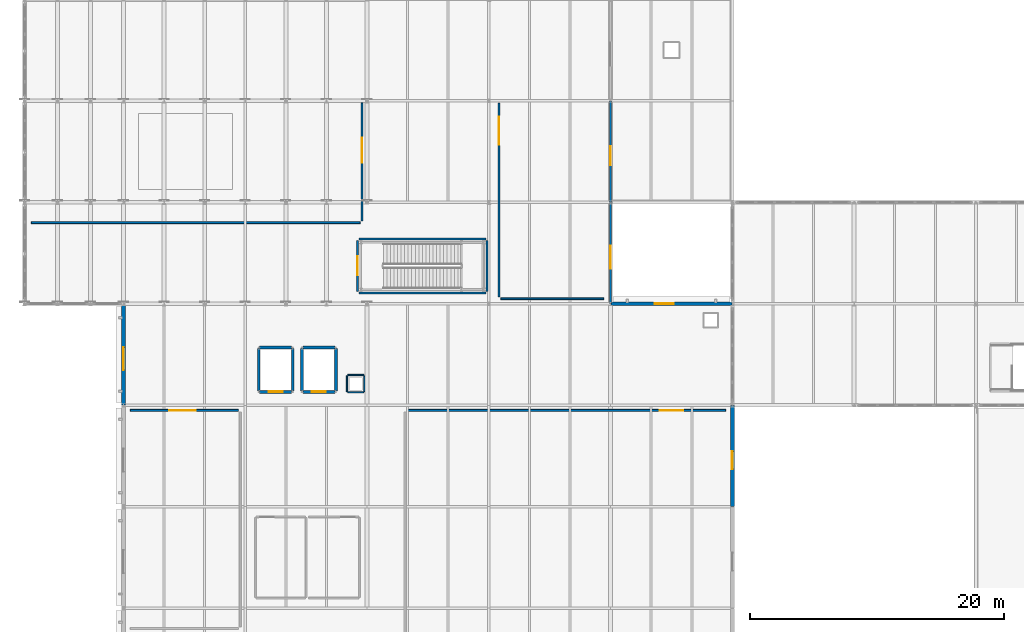
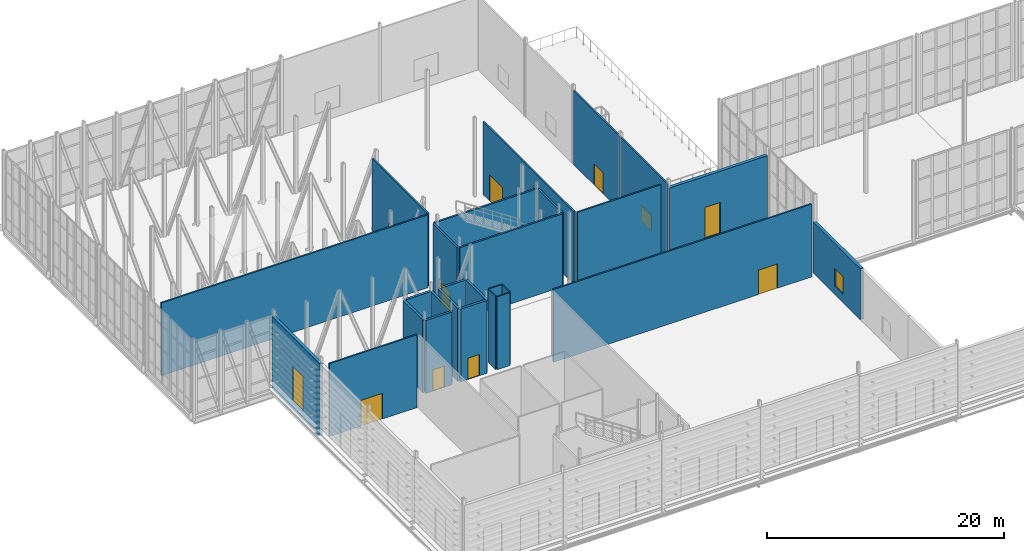
# One storey, part 65 of 73: 27 walls, 8 doors, 4 windows, 12 openings.
"""IFC4 building model written with IfcOpenShell, lengths in metres."""

from ifc_helpers import new_model, si_unit, direction, frame, frame_2d, origin, place, context, subcontext, project, spatial, rectangle, extrude, material, layer, layer_set, type_object, element, fill, save


model = new_model("IFC4")

# Units and contexts
model_context = context("Model", 3, precision=1e-05, world=origin(), true_north=direction((0.0, 1.0)))
body_context = subcontext(model_context, "Body", "Model", "MODEL_VIEW")
ifc_project = project(units=[si_unit("LENGTHUNIT", "METRE"), si_unit("AREAUNIT", "SQUARE_METRE"), si_unit("VOLUMEUNIT", "CUBIC_METRE"), si_unit("PLANEANGLEUNIT", "RADIAN"), si_unit("MASSUNIT", "GRAM", prefix="KILO")], contexts=[model_context])

# Site, building, storey
site_placement = place(None, origin())
site = spatial("IfcSite", under=ifc_project, at=site_placement, CompositionType="ELEMENT")
building_placement = place(site_placement, origin())
building = spatial("IfcBuilding", under=site, at=building_placement, Name="Alderhovde Museum", CompositionType="ELEMENT")
storey_placement = place(building_placement, frame((0.0, 0.0, 17.39990234375)))
storey = spatial("IfcBuildingStorey", under=building, at=storey_placement, Name="L04", CompositionType="ELEMENT", Elevation=17.39990234375)

# Wall, opening, window
ifc_material_1 = material(Name="Limestone Ashlar Rainscreen Wall", Category="masonry")
ifc_layer_1 = layer(ifc_material_1, 0.14990234375)
ifc_layer_set_1 = layer_set([ifc_layer_1], Name="Limestone Ashlar Rainscreen Wall")
wall_type_1 = type_object("IfcWallType", Name="EW-LIME-340", PredefinedType="SOLIDWALL", material=ifc_layer_set_1)
wall_1_placement = place(storey_placement, frame((48.0, 80.02001953125, 0.0), z_axis=(0.0, 0.0, 1.0), x_axis=(0.0, 1.0, 0.0)))
wall_1 = element("IfcWall", 1, at=wall_1_placement, inside=storey, type_object=wall_type_1, Name="L04 Paleontology East Step Wall 162", PredefinedType="SOLIDWALL", context=body_context, shape_type="SweptSolid", body=[
    extrude(rectangle(XDim=7.9599609375, YDim=0.14990234375, at=frame_2d((3.97998046875, 0.0))), origin(), (0.0, 0.0, 1.0), 7.60009765625),
])
opening_1_placement = place(wall_1_placement, frame((2.75, 0.0, 1.050048828125)))
opening_1 = element("IfcOpeningElement", 2, at=opening_1_placement, cuts=wall_1, Name="Opening W13", PredefinedType="OPENING", context=body_context, shape_type="SweptSolid", body=[
    extrude(rectangle(XDim=1.800048828125, YDim=1.60009765625, at=frame_2d((0.89990234375, 0.800048828125))), frame((0.0, 0.0849609375, 0.0), z_axis=(0.0, -1.0, 0.0), x_axis=(1.0, 0.0, 0.0)), (0.0, 0.0, 1.0), 0.169921875),
])
ifc_material_2 = material(Name="Triple-Glazed Low-E Bronze-Anodised Aluminium", Category="aluminium")
window_type_1 = type_object("IfcWindowType", Name="WIN-ATT-1800x1600", PartitioningType="DOUBLE_PANEL_VERTICAL", PredefinedType="WINDOW", material=ifc_material_2)
window_1_placement = place(opening_1_placement, origin())
window_1 = element("IfcWindow", 3, at=window_1_placement, inside=storey, type_object=window_type_1, Name="L04 Facade Window 142", OverallHeight=1.60009765625, OverallWidth=1.800048828125, PartitioningType="SINGLE_PANEL", PredefinedType="WINDOW", context=body_context, shape_type="SweptSolid", body=[
    extrude(rectangle(XDim=1.800048828125, YDim=1.60009765625, at=frame_2d((0.89990234375, 0.800048828125))), frame((0.0, 0.030029296875, 0.0), z_axis=(0.0, -1.0, 0.0), x_axis=(1.0, 0.0, 0.0)), (0.0, 0.0, 1.0), 0.06005859375),
])
fill(opening_1, window_1)

# Wall, opening, door
wall_2_placement = place(storey_placement, frame((48.0, 88.02001953125, 0.0), z_axis=(0.0, 0.0, 1.0), x_axis=(0.0, 1.0, 0.0)))
wall_2 = element("IfcWall", 4, at=wall_2_placement, inside=storey, type_object=wall_type_1, Name="L04 Paleontology East Step Wall 163", PredefinedType="SOLIDWALL", context=body_context, shape_type="SweptSolid", body=[
    extrude(rectangle(XDim=7.9599609375, YDim=0.14990234375, at=frame_2d((3.97998046875, 0.0))), origin(), (0.0, 0.0, 1.0), 7.60009765625),
])
opening_2_placement = place(wall_2_placement, frame((2.89990234375, 0.0, 0.0)))
opening_2 = element("IfcOpeningElement", 5, at=opening_2_placement, cuts=wall_2, Name="Opening BDR3", PredefinedType="OPENING", context=body_context, shape_type="SweptSolid", body=[
    extrude(rectangle(XDim=1.5, YDim=2.199951171875, at=frame_2d((0.75, 1.10009765625))), frame((0.0, 0.0849609375, 0.0), z_axis=(0.0, -1.0, 0.0), x_axis=(1.0, 0.0, 0.0)), (0.0, 0.0, 1.0), 0.169921875),
])
ifc_material_3 = material(Name="Thermally Broken Bronze-Anodised Aluminium and Laminated Glass", Category="aluminium")
door_type_1 = type_object("IfcDoorType", Name="DR-TER-1500x2200", OperationType="NOTDEFINED", PredefinedType="DOOR", material=ifc_material_3)
door_1_placement = place(opening_2_placement, origin())
door_1 = element("IfcDoor", 6, at=door_1_placement, inside=storey, type_object=door_type_1, Name="L04 Paleontology Belvedere Terrace Door", OperationType="SINGLE_SWING_LEFT", OverallHeight=2.199951171875, OverallWidth=1.5, PredefinedType="DOOR", context=body_context, shape_type="SweptSolid", body=[
    extrude(rectangle(XDim=1.5, YDim=2.199951171875, at=frame_2d((0.75, 1.10009765625))), frame((0.0, 0.02490234375, 0.0), z_axis=(0.0, -1.0, 0.0), x_axis=(1.0, 0.0, 0.0)), (0.0, 0.0, 1.0), 0.050048828125),
])
fill(opening_2, door_1)

# Wall, opening, window
ifc_material_4 = material(Name="Insulated Zinc-Clad Backing Wall")
ifc_layer_2 = layer(ifc_material_4, 0.300048828125)
ifc_layer_set_2 = layer_set([ifc_layer_2], Name="Insulated Zinc-Clad Backing Wall")
wall_type_2 = type_object("IfcWallType", Name="EW-ZINC-300", PredefinedType="SOLIDWALL", material=ifc_layer_set_2)
wall_3_placement = place(storey_placement, frame((48.02001953125, 80.0, 0.0), z_axis=(0.0, 0.0, 1.0), x_axis=(1.0, 0.0, 0.0)))
wall_3 = element("IfcWall", 7, at=wall_3_placement, inside=storey, type_object=wall_type_2, Name="L04 Folded Wing North Wall 56", PredefinedType="SOLIDWALL", context=body_context, shape_type="SweptSolid", body=[
    extrude(rectangle(XDim=9.56005859375, YDim=0.300048828125, at=frame_2d((4.780029296875, 0.0))), origin(), (0.0, 0.0, 1.0), 7.25),
])
opening_3_placement = place(wall_3_placement, frame((3.449951171875, 0.0, 0.85009765625)))
opening_3 = element("IfcOpeningElement", 8, at=opening_3_placement, cuts=wall_3, Name="Opening W21", PredefinedType="OPENING", context=body_context, shape_type="SweptSolid", body=[
    extrude(rectangle(XDim=1.5, YDim=3.199951171875, at=frame_2d((0.75, 1.60009765625))), frame((0.0, 0.159912109375, 0.0), z_axis=(0.0, -1.0, 0.0), x_axis=(1.0, 0.0, 0.0)), (0.0, 0.0, 1.0), 0.320068359375),
])
ifc_material_5 = material(Name="Triple-Glazed Low-E Bronze-Anodised Aluminium", Category="aluminium")
window_type_2 = type_object("IfcWindowType", Name="WIN-GAL-1500x3200", PartitioningType="SINGLE_PANEL", PredefinedType="WINDOW", material=ifc_material_5)
window_2_placement = place(opening_3_placement, origin())
window_2 = element("IfcWindow", 9, at=window_2_placement, inside=storey, type_object=window_type_2, Name="L04 Facade Window 47", OverallHeight=3.199951171875, OverallWidth=1.5, PartitioningType="SINGLE_PANEL", PredefinedType="WINDOW", context=body_context, shape_type="SweptSolid", body=[
    extrude(rectangle(XDim=1.5, YDim=3.199951171875, at=frame_2d((0.75, 1.60009765625))), frame((0.0, 0.030029296875, 0.0), z_axis=(0.0, -1.0, 0.0), x_axis=(1.0, 0.0, 0.0)), (0.0, 0.0, 1.0), 0.06005859375),
])
fill(opening_3, window_2)

wall_4_placement = place(storey_placement, frame((9.60009765625, 72.02001953125, 0.0), z_axis=(0.0, 0.0, 1.0), x_axis=(0.0, 1.0, 0.0)))
wall_4 = element("IfcWall", 10, at=wall_4_placement, inside=storey, type_object=wall_type_2, Name="L04 Raised West Prow Wall 60", PredefinedType="SOLIDWALL", context=body_context, shape_type="SweptSolid", body=[
    extrude(rectangle(XDim=7.9599609375, YDim=0.300048828125, at=frame_2d((3.97998046875, 0.0))), origin(), (0.0, 0.0, 1.0), 7.460205078125),
])
opening_4_placement = place(wall_4_placement, frame((2.75, 0.0, 0.85009765625)))
opening_4 = element("IfcOpeningElement", 11, at=opening_4_placement, cuts=wall_4, Name="Opening W22", PredefinedType="OPENING", context=body_context, shape_type="SweptSolid", body=[
    extrude(rectangle(XDim=1.800048828125, YDim=3.60009765625, at=frame_2d((0.89990234375, 1.800048828125))), frame((0.0, 0.159912109375, 0.0), z_axis=(0.0, -1.0, 0.0), x_axis=(1.0, 0.0, 0.0)), (0.0, 0.0, 1.0), 0.320068359375),
])
ifc_material_6 = material(Name="Triple-Glazed Low-E Bronze-Anodised Aluminium", Category="aluminium")
window_type_3 = type_object("IfcWindowType", Name="WIN-GAL-1800x3600", PartitioningType="DOUBLE_PANEL_VERTICAL", PredefinedType="WINDOW", material=ifc_material_6)
window_3_placement = place(opening_4_placement, origin())
window_3 = element("IfcWindow", 12, at=window_3_placement, inside=storey, type_object=window_type_3, Name="L04 Facade Window 51", OverallHeight=3.60009765625, OverallWidth=1.800048828125, PartitioningType="SINGLE_PANEL", PredefinedType="WINDOW", context=body_context, shape_type="SweptSolid", body=[
    extrude(rectangle(XDim=1.800048828125, YDim=3.60009765625, at=frame_2d((0.89990234375, 1.800048828125))), frame((0.0, 0.030029296875, 0.0), z_axis=(0.0, -1.0, 0.0), x_axis=(1.0, 0.0, 0.0)), (0.0, 0.0, 1.0), 0.06005859375),
])
fill(opening_4, window_3)

wall_5_placement = place(storey_placement, frame((57.60009765625, 64.02001953125, 0.0), z_axis=(0.0, 0.0, 1.0), x_axis=(0.0, 1.0, 0.0)))
wall_5 = element("IfcWall", 13, at=wall_5_placement, inside=storey, type_object=wall_type_2, Name="L04 Folded Wing East Step Wall 63", PredefinedType="SOLIDWALL", context=body_context, shape_type="SweptSolid", body=[
    extrude(rectangle(XDim=7.9599609375, YDim=0.300048828125, at=frame_2d((3.97998046875, 0.0))), origin(), (0.0, 0.0, 1.0), 5.25),
])
opening_5_placement = place(wall_5_placement, frame((2.949951171875, 0.0, 0.85009765625)))
opening_5 = element("IfcOpeningElement", 14, at=opening_5_placement, cuts=wall_5, Name="Opening W11", PredefinedType="OPENING", context=body_context, shape_type="SweptSolid", body=[
    extrude(rectangle(XDim=1.39990234375, YDim=1.800048828125, at=frame_2d((0.699951171875, 0.89990234375))), frame((0.0, 0.159912109375, 0.0), z_axis=(0.0, -1.0, 0.0), x_axis=(1.0, 0.0, 0.0)), (0.0, 0.0, 1.0), 0.320068359375),
])
ifc_material_7 = material(Name="Triple-Glazed Low-E Bronze-Anodised Aluminium", Category="aluminium")
window_type_4 = type_object("IfcWindowType", Name="WIN-ATT-1400x1800", PartitioningType="SINGLE_PANEL", PredefinedType="WINDOW", material=ifc_material_7)
window_4_placement = place(opening_5_placement, origin())
window_4 = element("IfcWindow", 15, at=window_4_placement, inside=storey, type_object=window_type_4, Name="L04 Facade Window 54", OverallHeight=1.800048828125, OverallWidth=1.39990234375, PartitioningType="SINGLE_PANEL", PredefinedType="WINDOW", context=body_context, shape_type="SweptSolid", body=[
    extrude(rectangle(XDim=1.39990234375, YDim=1.800048828125, at=frame_2d((0.699951171875, 0.89990234375))), frame((0.0, 0.030029296875, 0.0), z_axis=(0.0, -1.0, 0.0), x_axis=(1.0, 0.0, 0.0)), (0.0, 0.0, 1.0), 0.06005859375),
])
fill(opening_5, window_4)

# Wall, opening, door
ifc_material_8 = material(Name="Plywood-Backed Gallery Display Partition", Category="wood")
ifc_layer_3 = layer(ifc_material_8, 0.14990234375)
ifc_layer_set_3 = layer_set([ifc_layer_3], Name="Plywood-Backed Gallery Display Partition")
wall_type_3 = type_object("IfcWallType", Name="IW-GAL-150", PredefinedType="PARTITIONING", material=ifc_layer_set_3)
wall_6_placement = place(storey_placement, frame((31.93994140625, 71.60009765625, 0.0), z_axis=(0.0, 0.0, 1.0), x_axis=(1.0, 0.0, 0.0)))
wall_6 = element("IfcWall", 16, at=wall_6_placement, inside=storey, type_object=wall_type_3, Name="L04 Double-Height Top-Lit Sculpture Gallery Partition Wall N", PredefinedType="PARTITIONING", context=body_context, shape_type="SweptSolid", body=[
    extrude(rectangle(XDim=25.1201171875, YDim=0.14990234375, at=frame_2d((12.56005859375, 0.0))), origin(), (0.0, 0.0, 1.0), 7.5),
])
opening_6_placement = place(wall_6_placement, frame((19.93310546875, 0.0, 0.0)))
opening_6 = element("IfcOpeningElement", 17, at=opening_6_placement, cuts=wall_6, Name="Opening D03", PredefinedType="OPENING", context=body_context, shape_type="SweptSolid", body=[
    extrude(rectangle(XDim=1.85009765625, YDim=2.5, at=frame_2d((0.925048828125, 1.25))), frame((0.0, 0.0849609375, 0.0), z_axis=(0.0, -1.0, 0.0), x_axis=(1.0, 0.0, 0.0)), (0.0, 0.0, 1.0), 0.169921875),
])
ifc_material_9 = material(Name="Gallery Passage Double Door (Steel/Oak)", Category="steel")
door_type_2 = type_object("IfcDoorType", Name="ID-GAL-1850x2500", OperationType="NOTDEFINED", PredefinedType="DOOR", material=ifc_material_9)
door_2_placement = place(opening_6_placement, origin())
door_2 = element("IfcDoor", 18, at=door_2_placement, inside=storey, type_object=door_type_2, Name="L04 Double-Height Top-Lit Sculpture Gallery Door", OperationType="DOUBLE_DOOR_SINGLE_SWING", OverallHeight=2.5, OverallWidth=1.85009765625, PredefinedType="DOOR", context=body_context, shape_type="SweptSolid", body=[
    extrude(rectangle(XDim=1.85009765625, YDim=2.5, at=frame_2d((0.925048828125, 1.25))), frame((0.0, 0.02490234375, 0.0), z_axis=(0.0, -1.0, 0.0), x_axis=(1.0, 0.0, 0.0)), (0.0, 0.0, 1.0), 0.050048828125),
])
fill(opening_6, door_2)

wall_7_placement = place(storey_placement, frame((10.139892578125, 71.60009765625, 0.0), z_axis=(0.0, 0.0, 1.0), x_axis=(1.0, 0.0, 0.0)))
wall_7 = element("IfcWall", 19, at=wall_7_placement, inside=storey, type_object=wall_type_3, Name="L04 West Sawtooth Painting Gallery Partition Wall N", PredefinedType="PARTITIONING", context=body_context, shape_type="SweptSolid", body=[
    extrude(rectangle(XDim=8.52001953125, YDim=0.14990234375, at=frame_2d((4.260009765625, 0.0))), origin(), (0.0, 0.0, 1.0), 7.5),
])
opening_7_placement = place(wall_7_placement, frame((3.05810546875, 0.0, 0.0)))
opening_7 = element("IfcOpeningElement", 20, at=opening_7_placement, cuts=wall_7, Name="Opening D11", PredefinedType="OPENING", context=body_context, shape_type="SweptSolid", body=[
    extrude(rectangle(XDim=2.10009765625, YDim=2.64990234375, at=frame_2d((1.050048828125, 1.324951171875))), frame((0.0, 0.0849609375, 0.0), z_axis=(0.0, -1.0, 0.0), x_axis=(1.0, 0.0, 0.0)), (0.0, 0.0, 1.0), 0.169921875),
])
ifc_material_10 = material(Name="Sculpture Hall Double Door (Steel/Oak)", Category="steel")
door_type_3 = type_object("IfcDoorType", Name="ID-GAL-2100x2650", OperationType="NOTDEFINED", PredefinedType="DOOR", material=ifc_material_10)
door_3_placement = place(opening_7_placement, origin())
door_3 = element("IfcDoor", 21, at=door_3_placement, inside=storey, type_object=door_type_3, Name="L04 West Sawtooth Painting Gallery Door", OperationType="DOUBLE_DOOR_SINGLE_SWING", OverallHeight=2.64990234375, OverallWidth=2.10009765625, PredefinedType="DOOR", context=body_context, shape_type="SweptSolid", body=[
    extrude(rectangle(XDim=2.10009765625, YDim=2.64990234375, at=frame_2d((1.050048828125, 1.324951171875))), frame((0.0, 0.02490234375, 0.0), z_axis=(0.0, -1.0, 0.0), x_axis=(1.0, 0.0, 0.0)), (0.0, 0.0, 1.0), 0.050048828125),
])
fill(opening_7, door_3)

# Wall
wall_8_placement = place(storey_placement, frame((2.340087890625, 86.39990234375, 0.0), z_axis=(0.0, 0.0, 1.0), x_axis=(1.0, 0.0, 0.0)))
element("IfcWall", 22, at=wall_8_placement, inside=storey, type_object=wall_type_3, Name="L04 Double-Height Cantilevered Paleontology Hall Partition Wall S", PredefinedType="PARTITIONING", context=body_context, shape_type="SweptSolid", body=[
    extrude(rectangle(XDim=25.919921875, YDim=0.14990234375, at=frame_2d((12.9599609375, 0.0))), origin(), (0.0, 0.0, 1.0), 7.5),
])

# Wall, opening, door
wall_9_placement = place(storey_placement, frame((28.39990234375, 86.5400390625, 0.0), z_axis=(0.0, 0.0, 1.0), x_axis=(0.0, 1.0, 0.0)))
wall_9 = element("IfcWall", 23, at=wall_9_placement, inside=storey, type_object=wall_type_3, Name="L04 Double-Height Cantilevered Paleontology Hall Partition Wall E", PredefinedType="PARTITIONING", context=body_context, shape_type="SweptSolid", body=[
    extrude(rectangle(XDim=9.2900390625, YDim=0.14990234375, at=frame_2d((4.64501953125, 0.0))), origin(), (0.0, 0.0, 1.0), 7.5),
])
opening_8_placement = place(wall_9_placement, frame((4.583984375, 0.0, 0.0)))
opening_8 = element("IfcOpeningElement", 24, at=opening_8_placement, cuts=wall_9, Name="Opening D12", PredefinedType="OPENING", context=body_context, shape_type="SweptSolid", body=[
    extrude(rectangle(XDim=1.949951171875, YDim=2.550048828125, at=frame_2d((0.97509765625, 1.27490234375))), frame((0.0, 0.0849609375, 0.0), z_axis=(0.0, -1.0, 0.0), x_axis=(1.0, 0.0, 0.0)), (0.0, 0.0, 1.0), 0.169921875),
])
ifc_material_11 = material(Name="Natural History Double Door (Steel/Oak)", Category="steel")
door_type_4 = type_object("IfcDoorType", Name="ID-GAL-1950x2550", OperationType="NOTDEFINED", PredefinedType="DOOR", material=ifc_material_11)
door_4_placement = place(opening_8_placement, origin())
door_4 = element("IfcDoor", 25, at=door_4_placement, inside=storey, type_object=door_type_4, Name="L04 Double-Height Cantilevered Paleontology Hall Door", OperationType="DOUBLE_DOOR_SINGLE_SWING", OverallHeight=2.550048828125, OverallWidth=1.949951171875, PredefinedType="DOOR", context=body_context, shape_type="SweptSolid", body=[
    extrude(rectangle(XDim=1.949951171875, YDim=2.550048828125, at=frame_2d((0.97509765625, 1.27490234375))), frame((0.0, 0.02490234375, 0.0), z_axis=(0.0, -1.0, 0.0), x_axis=(1.0, 0.0, 0.0)), (0.0, 0.0, 1.0), 0.050048828125),
])
fill(opening_8, door_4)

# Wall
wall_10_placement = place(storey_placement, frame((39.340087890625, 80.39990234375, 0.0), z_axis=(0.0, 0.0, 1.0), x_axis=(1.0, 0.0, 0.0)))
element("IfcWall", 26, at=wall_10_placement, inside=storey, type_object=wall_type_3, Name="L04 Meteorite and Earth Sciences Hall Partition Wall S", PredefinedType="PARTITIONING", context=body_context, shape_type="SweptSolid", body=[
    extrude(rectangle(XDim=8.119873046875, YDim=0.14990234375, at=frame_2d((4.06005859375, 0.0))), origin(), (0.0, 0.0, 1.0), 7.5),
])

# Wall, opening, door
wall_11_placement = place(storey_placement, frame((39.199951171875, 80.5400390625, 0.0), z_axis=(0.0, 0.0, 1.0), x_axis=(0.0, 1.0, 0.0)))
wall_11 = element("IfcWall", 27, at=wall_11_placement, inside=storey, type_object=wall_type_3, Name="L04 Meteorite and Earth Sciences Hall Partition Wall W", PredefinedType="PARTITIONING", context=body_context, shape_type="SweptSolid", body=[
    extrude(rectangle(XDim=15.2900390625, YDim=0.14990234375, at=frame_2d((7.64501953125, 0.0))), origin(), (0.0, 0.0, 1.0), 7.5),
])
opening_9_placement = place(wall_11_placement, frame((12.0, 0.0, 0.0)))
opening_9 = element("IfcOpeningElement", 28, at=opening_9_placement, cuts=wall_11, Name="Opening D01", PredefinedType="OPENING", context=body_context, shape_type="SweptSolid", body=[
    extrude(rectangle(XDim=2.199951171875, YDim=2.699951171875, at=frame_2d((1.10009765625, 1.35009765625))), frame((0.0, 0.0849609375, 0.0), z_axis=(0.0, -1.0, 0.0), x_axis=(1.0, 0.0, 0.0)), (0.0, 0.0, 1.0), 0.169921875),
])
ifc_material_12 = material(Name="Grand Gallery Portal Double Door (Steel/Oak)", Category="steel")
door_type_5 = type_object("IfcDoorType", Name="ID-GAL-2200x2700", OperationType="NOTDEFINED", PredefinedType="DOOR", material=ifc_material_12)
door_5_placement = place(opening_9_placement, origin())
door_5 = element("IfcDoor", 29, at=door_5_placement, inside=storey, type_object=door_type_5, Name="L04 Meteorite and Earth Sciences Hall Door", OperationType="DOUBLE_DOOR_SINGLE_SWING", OverallHeight=2.699951171875, OverallWidth=2.199951171875, PredefinedType="DOOR", context=body_context, shape_type="SweptSolid", body=[
    extrude(rectangle(XDim=2.199951171875, YDim=2.699951171875, at=frame_2d((1.10009765625, 1.35009765625))), frame((0.0, 0.02490234375, 0.0), z_axis=(0.0, -1.0, 0.0), x_axis=(1.0, 0.0, 0.0)), (0.0, 0.0, 1.0), 0.050048828125),
])
fill(opening_9, door_5)

# Walls
ifc_material_13 = material(Name="Acoustic Service Riser Lining Wall")
ifc_layer_4 = layer(ifc_material_13, 0.10009765625)
ifc_layer_set_4 = layer_set([ifc_layer_4], Name="Acoustic Service Riser Lining Wall")
wall_type_4 = type_object("IfcWallType", Name="IW-LIN-100", PredefinedType="PARTITIONING", material=ifc_layer_set_4)
for number, where, z_axis, x_axis, name in (
    (30, (27.280029296875, 74.3798828125, 0.0), (0.0, 0.0, 1.0), (1.0, 0.0, 0.0), "L04 Service Riser RSR-V1A Shaft Wall N"),
    (31, (27.280029296875, 73.02001953125, 0.0), (0.0, 0.0, 1.0), (1.0, 0.0, 0.0), "L04 Service Riser RSR-V1A Shaft Wall S"),
    (32, (27.219970703125, 73.080078125, 0.0), (0.0, 0.0, 1.0), (0.0, 1.0, 0.0), "L04 Service Riser RSR-V1A Shaft Wall W"),
    (33, (28.580078125, 73.080078125, 0.0), (0.0, 0.0, 1.0), (0.0, 1.0, 0.0), "L04 Service Riser RSR-V1A Shaft Wall E"),
):
    element("IfcWall", number, at=place(storey_placement, frame(where, z_axis=z_axis, x_axis=x_axis)), inside=storey, type_object=wall_type_4, Name=name, PredefinedType="PARTITIONING", context=body_context, shape_type="SweptSolid", body=[
        extrude(rectangle(XDim=1.239990234375, YDim=0.10009765625, at=frame_2d((0.6201171875, 0.0))), origin(), (0.0, 0.0, 1.0), 7.5),
    ])

# Wall, opening, door
ifc_material_14 = material(Name="Concrete C40/50 and Fireboard Shaft Wall", Category="concrete")
ifc_layer_5 = layer(ifc_material_14, 0.22998046875)
ifc_layer_set_5 = layer_set([ifc_layer_5], Name="Concrete C40/50 and Fireboard Shaft Wall")
wall_type_5 = type_object("IfcWallType", Name="IW-SHAFT-230", PredefinedType="SOLIDWALL", material=ifc_layer_set_5)
wall_12_placement = place(storey_placement, frame((20.340087890625, 73.06005859375, 0.0), z_axis=(0.0, 0.0, 1.0), x_axis=(1.0, 0.0, 0.0)))
wall_12 = element("IfcWall", 34, at=wall_12_placement, inside=storey, type_object=wall_type_5, Name="L04 Passenger Lift PL-01 Shaft Wall South", PredefinedType="SOLIDWALL", context=body_context, shape_type="SweptSolid", body=[
    extrude(rectangle(XDim=2.52001953125, YDim=0.22998046875, at=frame_2d((1.260009765625, 0.0))), origin(), (0.0, 0.0, 1.0), 7.5),
])
opening_10_placement = place(wall_12_placement, frame((0.7099609375, 0.0, 0.0)))
opening_10 = element("IfcOpeningElement", 35, at=opening_10_placement, cuts=wall_12, Name="Opening LD-1", PredefinedType="OPENING", context=body_context, shape_type="SweptSolid", body=[
    extrude(rectangle(XDim=1.10009765625, YDim=2.199951171875, at=frame_2d((0.550048828125, 1.10009765625))), frame((0.0, 0.125, 0.0), z_axis=(0.0, -1.0, 0.0), x_axis=(1.0, 0.0, 0.0)), (0.0, 0.0, 1.0), 0.25),
])
ifc_material_15 = material(Name="Passenger Lift Sliding Landing Door (Steel/Oak)", Category="steel")
door_type_6 = type_object("IfcDoorType", Name="LD-PASS-1100x2200", OperationType="SLIDING_TO_LEFT", PredefinedType="DOOR", material=ifc_material_15)
door_6_placement = place(opening_10_placement, origin())
door_6 = element("IfcDoor", 36, at=door_6_placement, inside=storey, type_object=door_type_6, Name="L04 Passenger Lift PL-01 Landing Door", OperationType="SLIDING_TO_LEFT", OverallHeight=2.199951171875, OverallWidth=1.10009765625, PredefinedType="DOOR", context=body_context, shape_type="SweptSolid", body=[
    extrude(rectangle(XDim=1.10009765625, YDim=2.199951171875, at=frame_2d((0.550048828125, 1.10009765625))), frame((0.0, 0.02490234375, 0.0), z_axis=(0.0, -1.0, 0.0), x_axis=(1.0, 0.0, 0.0)), (0.0, 0.0, 1.0), 0.050048828125),
])
fill(opening_10, door_6)

# Walls
wall_13_placement = place(storey_placement, frame((20.340087890625, 76.5400390625, 0.0), z_axis=(0.0, 0.0, 1.0), x_axis=(1.0, 0.0, 0.0)))
element("IfcWall", 37, at=wall_13_placement, inside=storey, type_object=wall_type_5, Name="L04 Passenger Lift PL-01 Shaft Wall North", PredefinedType="SOLIDWALL", context=body_context, shape_type="SweptSolid", body=[
    extrude(rectangle(XDim=2.52001953125, YDim=0.22998046875, at=frame_2d((1.260009765625, 0.0))), origin(), (0.0, 0.0, 1.0), 7.5),
])
for number, where, z_axis, x_axis, name in (
    (38, (20.260009765625, 73.139892578125, 0.0), (0.0, 0.0, 1.0), (0.0, 1.0, 0.0), "L04 Passenger Lift PL-01 Shaft Wall West"),
    (39, (22.93994140625, 73.139892578125, 0.0), (0.0, 0.0, 1.0), (0.0, 1.0, 0.0), "L04 Passenger Lift PL-01 Shaft Wall East"),
):
    element("IfcWall", number, at=place(storey_placement, frame(where, z_axis=z_axis, x_axis=x_axis)), inside=storey, type_object=wall_type_5, Name=name, PredefinedType="SOLIDWALL", context=body_context, shape_type="SweptSolid", body=[
        extrude(rectangle(XDim=3.320068359375, YDim=0.22998046875, at=frame_2d((1.66015625, 0.0))), origin(), (0.0, 0.0, 1.0), 7.5),
    ])

# Wall, opening, door
wall_14_placement = place(storey_placement, frame((23.739990234375, 73.06005859375, 0.0), z_axis=(0.0, 0.0, 1.0), x_axis=(1.0, 0.0, 0.0)))
wall_14 = element("IfcWall", 40, at=wall_14_placement, inside=storey, type_object=wall_type_5, Name="L04 Passenger Lift PL-02 Shaft Wall South", PredefinedType="SOLIDWALL", context=body_context, shape_type="SweptSolid", body=[
    extrude(rectangle(XDim=2.52001953125, YDim=0.22998046875, at=frame_2d((1.260009765625, 0.0))), origin(), (0.0, 0.0, 1.0), 7.5),
])
opening_11_placement = place(wall_14_placement, frame((0.7099609375, 0.0, 0.0)))
opening_11 = element("IfcOpeningElement", 41, at=opening_11_placement, cuts=wall_14, Name="Opening LD-1", PredefinedType="OPENING", context=body_context, shape_type="SweptSolid", body=[
    extrude(rectangle(XDim=1.10009765625, YDim=2.199951171875, at=frame_2d((0.550048828125, 1.10009765625))), frame((0.0, 0.125, 0.0), z_axis=(0.0, -1.0, 0.0), x_axis=(1.0, 0.0, 0.0)), (0.0, 0.0, 1.0), 0.25),
])
door_7_placement = place(opening_11_placement, origin())
door_7 = element("IfcDoor", 42, at=door_7_placement, inside=storey, type_object=door_type_6, Name="L04 Passenger Lift PL-02 Landing Door", OperationType="SLIDING_TO_RIGHT", OverallHeight=2.199951171875, OverallWidth=1.10009765625, PredefinedType="DOOR", context=body_context, shape_type="SweptSolid", body=[
    extrude(rectangle(XDim=1.10009765625, YDim=2.199951171875, at=frame_2d((0.550048828125, 1.10009765625))), frame((0.0, 0.02490234375, 0.0), z_axis=(0.0, -1.0, 0.0), x_axis=(1.0, 0.0, 0.0)), (0.0, 0.0, 1.0), 0.050048828125),
])
fill(opening_11, door_7)

# Walls
wall_15_placement = place(storey_placement, frame((23.739990234375, 76.5400390625, 0.0), z_axis=(0.0, 0.0, 1.0), x_axis=(1.0, 0.0, 0.0)))
element("IfcWall", 43, at=wall_15_placement, inside=storey, type_object=wall_type_5, Name="L04 Passenger Lift PL-02 Shaft Wall North", PredefinedType="SOLIDWALL", context=body_context, shape_type="SweptSolid", body=[
    extrude(rectangle(XDim=2.52001953125, YDim=0.22998046875, at=frame_2d((1.260009765625, 0.0))), origin(), (0.0, 0.0, 1.0), 7.5),
])
for number, where, z_axis, x_axis, name in (
    (44, (23.659912109375, 73.139892578125, 0.0), (0.0, 0.0, 1.0), (0.0, 1.0, 0.0), "L04 Passenger Lift PL-02 Shaft Wall West"),
    (45, (26.340087890625, 73.139892578125, 0.0), (0.0, 0.0, 1.0), (0.0, 1.0, 0.0), "L04 Passenger Lift PL-02 Shaft Wall East"),
):
    element("IfcWall", number, at=place(storey_placement, frame(where, z_axis=z_axis, x_axis=x_axis)), inside=storey, type_object=wall_type_5, Name=name, PredefinedType="SOLIDWALL", context=body_context, shape_type="SweptSolid", body=[
        extrude(rectangle(XDim=3.320068359375, YDim=0.22998046875, at=frame_2d((1.66015625, 0.0))), origin(), (0.0, 0.0, 1.0), 7.5),
    ])

# Wall, opening, door
ifc_material_16 = material(Name="Fire-Resisting Stair Lobby Wall")
ifc_layer_6 = layer(ifc_material_16, 0.169921875)
ifc_layer_set_6 = layer_set([ifc_layer_6], Name="Fire-Resisting Stair Lobby Wall")
wall_type_6 = type_object("IfcWallType", Name="IW-STAIR-170", PredefinedType="SOLIDWALL", material=ifc_layer_set_6)
wall_16_placement = place(storey_placement, frame((28.06005859375, 80.9599609375, 0.0), z_axis=(0.0, 0.0, 1.0), x_axis=(0.0, 1.0, 0.0)))
wall_16 = element("IfcWall", 46, at=wall_16_placement, inside=storey, type_object=wall_type_6, Name="L04 Escape Stair ST2 Fire Wall W", PredefinedType="SOLIDWALL", context=body_context, shape_type="SweptSolid", body=[
    extrude(rectangle(XDim=4.0400390625, YDim=0.169921875, at=frame_2d((2.02001953125, 0.0))), origin(), (0.0, 0.0, 1.0), 7.5),
])
opening_12_placement = place(wall_16_placement, frame((1.27001953125, 0.0, 0.0)))
opening_12 = element("IfcOpeningElement", 47, at=opening_12_placement, cuts=wall_16, Name="Opening FD-1", PredefinedType="OPENING", context=body_context, shape_type="SweptSolid", body=[
    extrude(rectangle(XDim=1.5, YDim=2.199951171875, at=frame_2d((0.75, 1.10009765625))), frame((0.0, 0.094970703125, 0.0), z_axis=(0.0, -1.0, 0.0), x_axis=(1.0, 0.0, 0.0)), (0.0, 0.0, 1.0), 0.18994140625),
])
ifc_material_17 = material(Name="Fire-Rated Steel Stair Escape Door (Steel/Oak)", Category="steel")
door_type_7 = type_object("IfcDoorType", Name="FD-STAIR-1500x2200", OperationType="NOTDEFINED", PredefinedType="DOOR", material=ifc_material_17)
door_8_placement = place(opening_12_placement, origin())
door_8 = element("IfcDoor", 48, at=door_8_placement, inside=storey, type_object=door_type_7, Name="L04 Escape Stair ST2 Fire Door", OperationType="SINGLE_SWING_LEFT", OverallHeight=2.199951171875, OverallWidth=1.5, PredefinedType="DOOR", context=body_context, shape_type="SweptSolid", body=[
    extrude(rectangle(XDim=1.5, YDim=2.199951171875, at=frame_2d((0.75, 1.10009765625))), frame((0.0, 0.02490234375, 0.0), z_axis=(0.0, -1.0, 0.0), x_axis=(1.0, 0.0, 0.0)), (0.0, 0.0, 1.0), 0.050048828125),
])
fill(opening_12, door_8)

# Walls
wall_17_placement = place(storey_placement, frame((38.260009765625, 80.9599609375, 0.0), z_axis=(0.0, 0.0, 1.0), x_axis=(0.0, 1.0, 0.0)))
element("IfcWall", 49, at=wall_17_placement, inside=storey, type_object=wall_type_6, Name="L04 Escape Stair ST2 Fire Wall E", PredefinedType="SOLIDWALL", context=body_context, shape_type="SweptSolid", body=[
    extrude(rectangle(XDim=4.0400390625, YDim=0.169921875, at=frame_2d((2.02001953125, 0.0))), origin(), (0.0, 0.0, 1.0), 7.5),
])
for number, where, z_axis, x_axis, name in (
    (50, (28.159912109375, 80.860107421875, 0.0), (0.0, 0.0, 1.0), (1.0, 0.0, 0.0), "L04 Escape Stair ST2 Fire Wall S"),
    (51, (28.159912109375, 85.10009765625, 0.0), (0.0, 0.0, 1.0), (1.0, 0.0, 0.0), "L04 Escape Stair ST2 Fire Wall N"),
):
    element("IfcWall", number, at=place(storey_placement, frame(where, z_axis=z_axis, x_axis=x_axis)), inside=storey, type_object=wall_type_6, Name=name, PredefinedType="SOLIDWALL", context=body_context, shape_type="SweptSolid", body=[
        extrude(rectangle(XDim=10.0, YDim=0.169921875, at=frame_2d((5.0, 0.0))), origin(), (0.0, 0.0, 1.0), 7.5),
    ])

save(model, "model.ifc")
